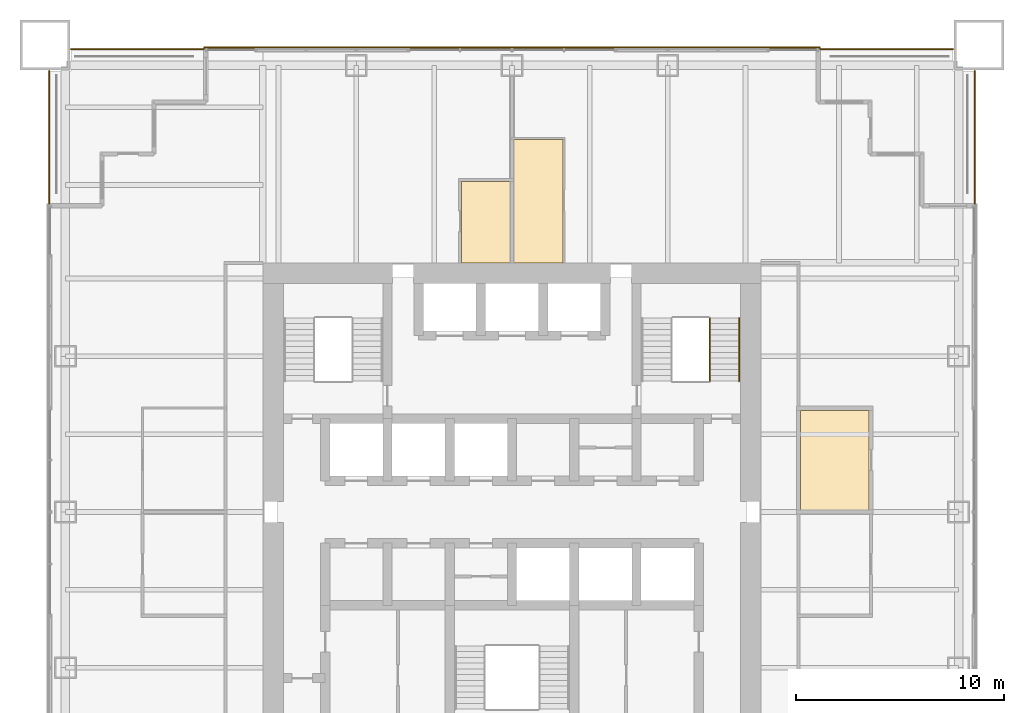
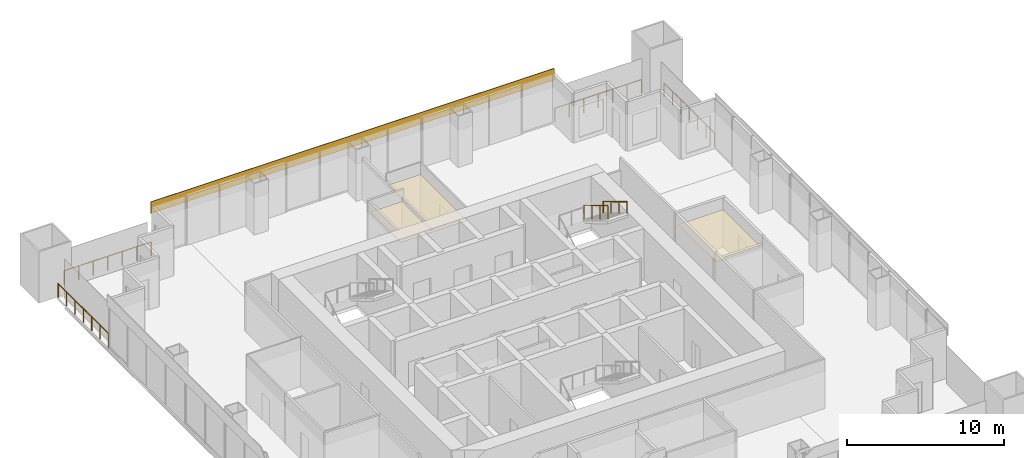
# One storey, part 13 of 13: 6 railings, 4 coverings.
"""IFC4 building model written with IfcOpenShell, lengths in metres."""

from ifc_helpers import new_model, si_unit, direction, frame, origin, origin_2d, place, context, subcontext, project, spatial, polyline, rectangle, circle, outline, extrude, material, layer, layer_set, type_object, element, save


model = new_model("IFC4")

# Units and contexts
model_context = context("Model", 3, precision=1e-05, world=origin(), true_north=direction((0.0, 1.0)))
body_context = subcontext(model_context, "Body", "Model", "MODEL_VIEW")
ifc_project = project(units=[si_unit("LENGTHUNIT", "METRE"), si_unit("AREAUNIT", "SQUARE_METRE"), si_unit("VOLUMEUNIT", "CUBIC_METRE"), si_unit("PLANEANGLEUNIT", "RADIAN"), si_unit("MASSUNIT", "GRAM", prefix="KILO")], contexts=[model_context])

# Site, building, storey
site_placement = place(None, origin())
site = spatial("IfcSite", under=ifc_project, at=site_placement, CompositionType="ELEMENT")
building_placement = place(site_placement, origin())
building = spatial("IfcBuilding", under=site, at=building_placement, Name="Tarangal Relay Tower", CompositionType="ELEMENT")
storey_placement = place(building_placement, frame((0.0, 0.0, 225.89990234375)))
storey = spatial("IfcBuildingStorey", under=building, at=storey_placement, Name="L48", CompositionType="ELEMENT", Elevation=225.89990234375)

# Covering
ifc_material_1 = material(Name="Black anodised aluminium cladding", Category="aluminium")
ifc_layer_1 = layer(ifc_material_1, 0.050048828125)
ifc_layer_set_1 = layer_set([ifc_layer_1], Name="Black metal spandrel band")
covering_type_1 = type_object("IfcCoveringType", Name="Black metal spandrel band", PredefinedType="CLADDING", material=ifc_layer_set_1)
covering_1_placement = place(storey_placement, frame((0.0, 22.375, 3.250244140625), z_axis=(0.0, 0.0, 1.0), x_axis=(1.0, 0.0, 0.0)))
element("IfcCovering", 1, at=covering_1_placement, inside=storey, type_object=covering_type_1, Name="Spandrel band SB1 N L48", PredefinedType="CLADDING", context=body_context, shape_type="SweptSolid", body=[
    extrude(rectangle(XDim=29.699951171875, YDim=0.050048828125, at=origin_2d()), origin(), (0.0, 0.0, 1.0), 0.89990234375),
])

# Railings
ifc_material_2 = material(Name="Steel guard, black finish", Category="steel")
railing_type_1 = type_object("IfcRailingType", Name="Stair guard 1100", PredefinedType="GUARDRAIL", material=ifc_material_2)
railing_1_placement = place(storey_placement, frame((9.530029296875, 9.346923828125, 2.166748046875)))
element("IfcRailing", 2, at=railing_1_placement, inside=storey, type_object=railing_type_1, Name="Stair ST-B guard GR1 L48 flight 2", PredefinedType="GUARDRAIL", context=body_context, shape_type="SweptSolid", body=[
    extrude(circle(Radius=0.02392578125, at=origin_2d()), frame((0.0, 0.0, 1.076171875), z_axis=(0.0, -0.85685617095, 0.515555527858), x_axis=(1.0, 0.0, 0.0)), (0.0, 0.0, 1.0), 3.555908203125),
    extrude(circle(Radius=0.02099609375, at=origin_2d()), origin(), (0.0, 0.0, 1.0), 1.052001953125),
    extrude(circle(Radius=0.02099609375, at=origin_2d()), frame((0.0, -1.015625, 0.611083984375)), (0.0, 0.0, 1.0), 1.052001953125),
    extrude(circle(Radius=0.02099609375, at=origin_2d()), frame((0.0, -2.03125, 1.22216796875)), (0.0, 0.0, 1.0), 1.052001953125),
    extrude(circle(Radius=0.02099609375, at=origin_2d()), frame((0.0, -3.046875, 1.833251953125)), (0.0, 0.0, 1.0), 1.052001953125),
])
ifc_material_3 = material(Name="Steel handrail, black finish", Category="steel")
railing_type_2 = type_object("IfcRailingType", Name="Stair handrail 900", PredefinedType="HANDRAIL", material=ifc_material_3)
railing_2_placement = place(storey_placement, frame((10.93994140625, 9.346923828125, 2.166748046875)))
element("IfcRailing", 3, at=railing_2_placement, inside=storey, type_object=railing_type_2, Name="Stair ST-B handrail HR1 L48 flight 2", PredefinedType="HANDRAIL", context=body_context, shape_type="SweptSolid", body=[
    extrude(circle(Radius=0.02392578125, at=origin_2d()), frame((0.0, 0.0, 0.8759765625), z_axis=(0.0, -0.85685617095, 0.515555527858), x_axis=(1.0, 0.0, 0.0)), (0.0, 0.0, 1.0), 3.555908203125),
    extrude(circle(Radius=0.02099609375, at=origin_2d()), origin(), (0.0, 0.0, 1.0), 0.851806640625),
    extrude(circle(Radius=0.02099609375, at=origin_2d()), frame((0.0, -1.015625, 0.611083984375)), (0.0, 0.0, 1.0), 0.851806640625),
    extrude(circle(Radius=0.02099609375, at=origin_2d()), frame((0.0, -2.03125, 1.22216796875)), (0.0, 0.0, 1.0), 0.851806640625),
    extrude(circle(Radius=0.02099609375, at=origin_2d()), frame((0.0, -3.046875, 1.833251953125)), (0.0, 0.0, 1.0), 0.851806640625),
])

# Coverings
ifc_material_4 = material(Name="Mineral fibre ceiling tiles", Category="gypsum")
ifc_layer_2 = layer(ifc_material_4, 0.02001953125)
ifc_layer_set_2 = layer_set([ifc_layer_2], Name="Suspended ceiling")
covering_type_2 = type_object("IfcCoveringType", Name="Suspended ceiling", PredefinedType="CEILING", material=ifc_layer_set_2)
covering_2_placement = place(storey_placement, frame((0.0, 0.0, 2.900146484375)))
element("IfcCovering", 4, at=covering_2_placement, inside=storey, type_object=covering_type_2, Name="Suspended ceiling CL1 L48-02", PredefinedType="CEILING", context=body_context, shape_type="SweptSolid", body=[
    extrude(outline(polyline([(-0.074951171875, 12.0), (-0.074951171875, 15.925048828125), (-2.425048828125, 15.925048828125), (-2.425048828125, 12.0), (-0.074951171875, 12.0)])), origin(), (0.0, 0.0, 1.0), 0.02001953125),
])
covering_3_placement = place(storey_placement, frame((0.0, 0.0, 2.900146484375)))
element("IfcCovering", 5, at=covering_3_placement, inside=storey, type_object=covering_type_2, Name="Suspended ceiling CL1 L48-03", PredefinedType="CEILING", context=body_context, shape_type="SweptSolid", body=[
    extrude(outline(polyline([(2.449951171875, 12.0), (2.449951171875, 17.949951171875), (0.074951171875, 17.949951171875), (0.074951171875, 12.0), (2.449951171875, 12.0)])), origin(), (0.0, 0.0, 1.0), 0.02001953125),
])
covering_4_placement = place(storey_placement, frame((0.0, 0.0, 2.900146484375)))
element("IfcCovering", 6, at=covering_4_placement, inside=storey, type_object=covering_type_2, Name="Suspended ceiling CL1 L48-04", PredefinedType="CEILING", context=body_context, shape_type="SweptSolid", body=[
    extrude(outline(polyline([(13.89990234375, 4.89990234375), (13.89990234375, 0.10009765625), (17.199951171875, 0.10009765625), (17.199951171875, 4.89990234375), (13.89990234375, 4.89990234375)])), origin(), (0.0, 0.0, 1.0), 0.02001953125),
])

# Railings
ifc_material_5 = material(Name="Black steel guard with glass infill", Category="steel")
railing_type_3 = type_object("IfcRailingType", Name="Terrace guard 1100", PredefinedType="GUARDRAIL", material=ifc_material_5)
railing_3_placement = place(storey_placement, frame((14.85009765625, 22.300048828125, 0.0)))
element("IfcRailing", 7, at=railing_3_placement, inside=storey, type_object=railing_type_3, Name="Terrace guard GR2 NE L48", PredefinedType="GUARDRAIL", context=body_context, shape_type="SweptSolid", body=[
    extrude(circle(Radius=0.02392578125, at=origin_2d()), frame((0.0, 0.0, 1.076171875), z_axis=(1.0, 0.0, 0.0), x_axis=(0.0, 1.0, 0.0)), (0.0, 0.0, 1.0), 6.39990234375),
    extrude(circle(Radius=0.02099609375, at=origin_2d()), origin(), (0.0, 0.0, 1.0), 1.052001953125),
    extrude(circle(Radius=0.02099609375, at=origin_2d()), frame((1.066650390625, 0.0, 0.0)), (0.0, 0.0, 1.0), 1.052001953125),
    extrude(circle(Radius=0.02099609375, at=origin_2d()), frame((2.13330078125, 0.0, 0.0)), (0.0, 0.0, 1.0), 1.052001953125),
    extrude(circle(Radius=0.02099609375, at=origin_2d()), frame((3.199951171875, 0.0, 0.0)), (0.0, 0.0, 1.0), 1.052001953125),
    extrude(circle(Radius=0.02099609375, at=origin_2d()), frame((4.2666015625, 0.0, 0.0)), (0.0, 0.0, 1.0), 1.052001953125),
    extrude(circle(Radius=0.02099609375, at=origin_2d()), frame((5.333251953125, 0.0, 0.0)), (0.0, 0.0, 1.0), 1.052001953125),
    extrude(circle(Radius=0.02099609375, at=origin_2d()), frame((6.39990234375, 0.0, 0.0)), (0.0, 0.0, 1.0), 1.052001953125),
])
railing_4_placement = place(storey_placement, frame((22.300048828125, 21.25, 0.0)))
element("IfcRailing", 8, at=railing_4_placement, inside=storey, type_object=railing_type_3, Name="Terrace guard GR2 NE L48", PredefinedType="GUARDRAIL", context=body_context, shape_type="SweptSolid", body=[
    extrude(circle(Radius=0.02392578125, at=origin_2d()), frame((0.0, 0.0, 1.076171875), z_axis=(0.0, -1.0, 0.0), x_axis=(1.0, 0.0, 0.0)), (0.0, 0.0, 1.0), 6.39990234375),
    extrude(circle(Radius=0.02099609375, at=origin_2d()), origin(), (0.0, 0.0, 1.0), 1.052001953125),
    extrude(circle(Radius=0.02099609375, at=origin_2d()), frame((0.0, -1.066650390625, 0.0)), (0.0, 0.0, 1.0), 1.052001953125),
    extrude(circle(Radius=0.02099609375, at=origin_2d()), frame((0.0, -2.13330078125, 0.0)), (0.0, 0.0, 1.0), 1.052001953125),
    extrude(circle(Radius=0.02099609375, at=origin_2d()), frame((0.0, -3.199951171875, 0.0)), (0.0, 0.0, 1.0), 1.052001953125),
    extrude(circle(Radius=0.02099609375, at=origin_2d()), frame((0.0, -4.2666015625, 0.0)), (0.0, 0.0, 1.0), 1.052001953125),
    extrude(circle(Radius=0.02099609375, at=origin_2d()), frame((0.0, -5.333251953125, 0.0)), (0.0, 0.0, 1.0), 1.052001953125),
    extrude(circle(Radius=0.02099609375, at=origin_2d()), frame((0.0, -6.39990234375, 0.0)), (0.0, 0.0, 1.0), 1.052001953125),
])
railing_5_placement = place(storey_placement, frame((-22.300048828125, 14.85009765625, 0.0)))
element("IfcRailing", 9, at=railing_5_placement, inside=storey, type_object=railing_type_3, Name="Terrace guard GR2 NW L48", PredefinedType="GUARDRAIL", context=body_context, shape_type="SweptSolid", body=[
    extrude(circle(Radius=0.02392578125, at=origin_2d()), frame((0.0, 0.0, 1.076171875), z_axis=(0.0, 1.0, 0.0), x_axis=(-1.0, 0.0, 0.0)), (0.0, 0.0, 1.0), 6.39990234375),
    extrude(circle(Radius=0.02099609375, at=origin_2d()), origin(), (0.0, 0.0, 1.0), 1.052001953125),
    extrude(circle(Radius=0.02099609375, at=origin_2d()), frame((0.0, 1.066650390625, 0.0)), (0.0, 0.0, 1.0), 1.052001953125),
    extrude(circle(Radius=0.02099609375, at=origin_2d()), frame((0.0, 2.13330078125, 0.0)), (0.0, 0.0, 1.0), 1.052001953125),
    extrude(circle(Radius=0.02099609375, at=origin_2d()), frame((0.0, 3.199951171875, 0.0)), (0.0, 0.0, 1.0), 1.052001953125),
    extrude(circle(Radius=0.02099609375, at=origin_2d()), frame((0.0, 4.2666015625, 0.0)), (0.0, 0.0, 1.0), 1.052001953125),
    extrude(circle(Radius=0.02099609375, at=origin_2d()), frame((0.0, 5.333251953125, 0.0)), (0.0, 0.0, 1.0), 1.052001953125),
    extrude(circle(Radius=0.02099609375, at=origin_2d()), frame((0.0, 6.39990234375, 0.0)), (0.0, 0.0, 1.0), 1.052001953125),
])
railing_6_placement = place(storey_placement, frame((-21.25, 22.300048828125, 0.0)))
element("IfcRailing", 10, at=railing_6_placement, inside=storey, type_object=railing_type_3, Name="Terrace guard GR2 NW L48", PredefinedType="GUARDRAIL", context=body_context, shape_type="SweptSolid", body=[
    extrude(circle(Radius=0.02392578125, at=origin_2d()), frame((0.0, 0.0, 1.076171875), z_axis=(1.0, 0.0, 0.0), x_axis=(0.0, 1.0, 0.0)), (0.0, 0.0, 1.0), 6.39990234375),
    extrude(circle(Radius=0.02099609375, at=origin_2d()), origin(), (0.0, 0.0, 1.0), 1.052001953125),
    extrude(circle(Radius=0.02099609375, at=origin_2d()), frame((1.066650390625, 0.0, 0.0)), (0.0, 0.0, 1.0), 1.052001953125),
    extrude(circle(Radius=0.02099609375, at=origin_2d()), frame((2.13330078125, 0.0, 0.0)), (0.0, 0.0, 1.0), 1.052001953125),
    extrude(circle(Radius=0.02099609375, at=origin_2d()), frame((3.199951171875, 0.0, 0.0)), (0.0, 0.0, 1.0), 1.052001953125),
    extrude(circle(Radius=0.02099609375, at=origin_2d()), frame((4.2666015625, 0.0, 0.0)), (0.0, 0.0, 1.0), 1.052001953125),
    extrude(circle(Radius=0.02099609375, at=origin_2d()), frame((5.333251953125, 0.0, 0.0)), (0.0, 0.0, 1.0), 1.052001953125),
    extrude(circle(Radius=0.02099609375, at=origin_2d()), frame((6.39990234375, 0.0, 0.0)), (0.0, 0.0, 1.0), 1.052001953125),
])

save(model, "model.ifc")
